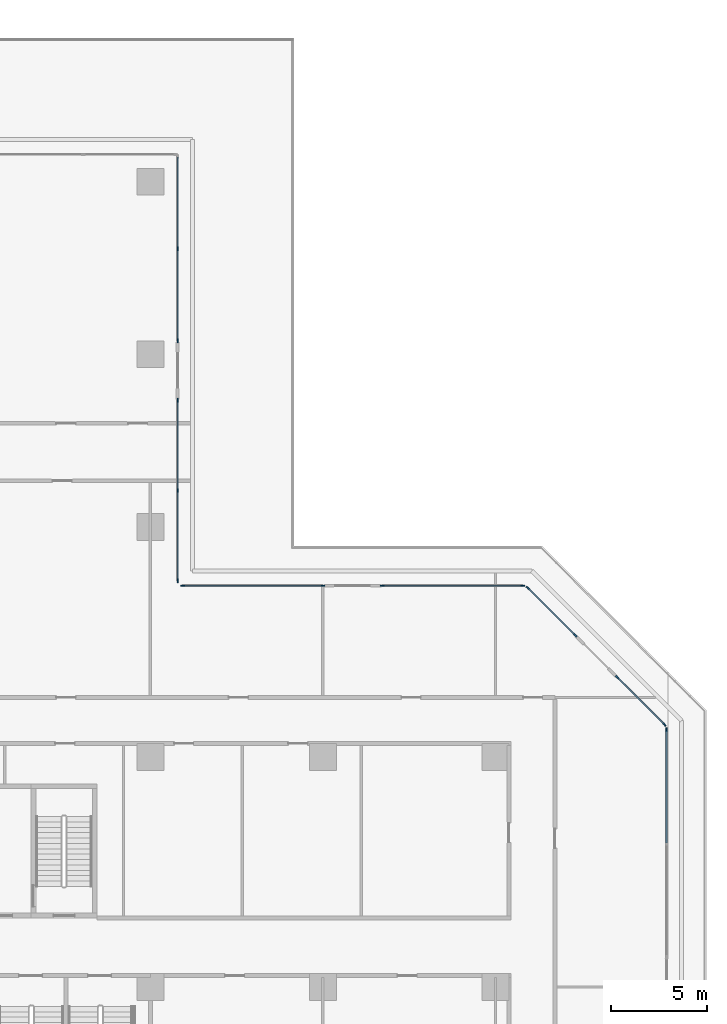
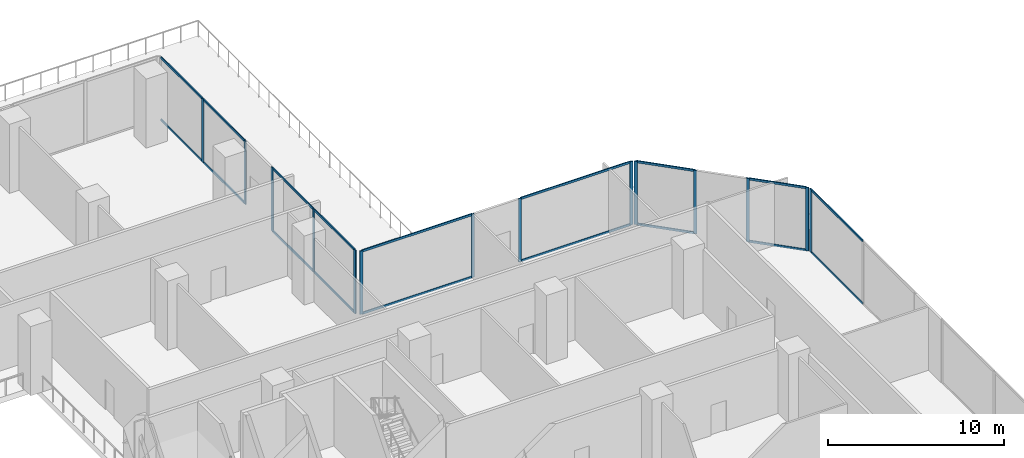
# One storey, part 7 of 26: 32 members, 7 elements without a shape of their own.
"""IFC4 building model written with IfcOpenShell, lengths in metres."""

from ifc_helpers import new_model, si_unit, direction, frame, origin, origin_2d, place, context, subcontext, project, spatial, rectangle, extrude, material, layer, layer_set, material_profile, profile_set, type_object, element, aggregate, save


model = new_model("IFC4")

# Units and contexts
model_context = context("Model", 3, precision=1e-05, world=origin(), true_north=direction((0.0, 1.0)))
body_context = subcontext(model_context, "Body", "Model", "MODEL_VIEW")
ifc_project = project(units=[si_unit("LENGTHUNIT", "METRE"), si_unit("AREAUNIT", "SQUARE_METRE"), si_unit("VOLUMEUNIT", "CUBIC_METRE"), si_unit("PLANEANGLEUNIT", "RADIAN"), si_unit("MASSUNIT", "GRAM", prefix="KILO")], contexts=[model_context])

# Site, building, storey
site_placement = place(None, origin())
site = spatial("IfcSite", under=ifc_project, at=site_placement, CompositionType="ELEMENT")
building_placement = place(site_placement, origin())
building = spatial("IfcBuilding", under=site, at=building_placement, Name="Chenar Terraces", CompositionType="ELEMENT")
storey_placement = place(building_placement, frame((0.0, 0.0, 16.800048828125)))
storey = spatial("IfcBuildingStorey", under=building, at=storey_placement, Name="L03", CompositionType="ELEMENT", Elevation=16.800048828125)

# Curtain wall, member
ifc_material_1 = material(Name="Aluminium framed glazing", Category="aluminium")
ifc_layer = layer(ifc_material_1, 0.14990234375)
ifc_layer_set = layer_set([ifc_layer], Name="Aluminium framed glazing")
curtain_wall_type = type_object("IfcCurtainWallType", Name="School curtain wall", PredefinedType="NOTDEFINED", material=ifc_layer_set)
placement = place(storey_placement, origin())
curtain_wall_1 = element("IfcCurtainWall", 1, at=placement, inside=storey, type_object=curtain_wall_type, Name="School curtain wall", PredefinedType="NOTDEFINED")
ifc_material_2 = material(Name="Aluminium", Category="aluminium")
ifc_material_profile_1 = material_profile(ifc_material_2, rectangle(XDim=0.070068359375, YDim=0.199951171875, at=origin_2d()), Name="School glazing mullion 70 x 200")
ifc_profile_set_1 = profile_set([ifc_material_profile_1], Name="Aluminium")
member_type_1 = type_object("IfcMemberType", Name="School glazing mullion 70 x 200", PredefinedType="MULLION", material=ifc_profile_set_1)
member_1_placement = place(storey_placement, frame((80.925048828125, 25.421630859375, 0.0), z_axis=(0.0, 0.0, 1.0), x_axis=(-1.0, 0.0, 0.0)))
member_1 = element("IfcMember", 2, at=member_1_placement, type_object=member_type_1, Name="CW2-09c1 mullion 3", PredefinedType="MULLION", context=body_context, shape_type="SweptSolid", body=[
    extrude(rectangle(XDim=0.070068359375, YDim=0.199951171875, at=origin_2d()), origin(), (0.0, 0.0, 1.0), 4.39990234375),
])

# Curtain wall, members
curtain_wall_2 = element("IfcCurtainWall", 3, at=placement, inside=storey, type_object=curtain_wall_type, Name="School curtain wall", PredefinedType="NOTDEFINED")
member_2_placement = place(storey_placement, frame((80.816162109375, 25.684326171875, 0.0), z_axis=(0.0, 0.0, 1.0), x_axis=(-0.707106781187, -0.707106781187, 0.0)))
member_2 = element("IfcMember", 4, at=member_2_placement, type_object=member_type_1, Name="CW2-10c0 mullion 1", PredefinedType="MULLION", context=body_context, shape_type="SweptSolid", body=[
    extrude(rectangle(XDim=0.070068359375, YDim=0.199951171875, at=origin_2d()), origin(), (0.0, 0.0, 1.0), 4.39990234375),
])
member_3_placement = place(storey_placement, frame((78.344482421875, 28.156005859375, 0.0), z_axis=(0.0, 0.0, 1.0), x_axis=(-0.707106781187, -0.707106781187, 0.0)))
member_3 = element("IfcMember", 5, at=member_3_placement, type_object=member_type_1, Name="CW2-10c0 mullion 2", PredefinedType="MULLION", context=body_context, shape_type="SweptSolid", body=[
    extrude(rectangle(XDim=0.070068359375, YDim=0.199951171875, at=origin_2d()), origin(), (0.0, 0.0, 1.0), 4.39990234375),
])

curtain_wall_3 = element("IfcCurtainWall", 6, at=placement, inside=storey, type_object=curtain_wall_type, Name="School curtain wall", PredefinedType="NOTDEFINED")
member_4_placement = place(storey_placement, frame((76.156005859375, 30.344482421875, 0.0), z_axis=(0.0, 0.0, 1.0), x_axis=(-0.707106781187, -0.707106781187, 0.0)))
member_4 = element("IfcMember", 7, at=member_4_placement, type_object=member_type_1, Name="CW2-10c1 mullion 1", PredefinedType="MULLION", context=body_context, shape_type="SweptSolid", body=[
    extrude(rectangle(XDim=0.070068359375, YDim=0.199951171875, at=origin_2d()), origin(), (0.0, 0.0, 1.0), 4.39990234375),
])
member_5_placement = place(storey_placement, frame((73.684326171875, 32.816162109375, 0.0), z_axis=(0.0, 0.0, 1.0), x_axis=(-0.707106781187, -0.707106781187, 0.0)))
member_5 = element("IfcMember", 8, at=member_5_placement, type_object=member_type_1, Name="CW2-10c1 mullion 2", PredefinedType="MULLION", context=body_context, shape_type="SweptSolid", body=[
    extrude(rectangle(XDim=0.070068359375, YDim=0.199951171875, at=origin_2d()), origin(), (0.0, 0.0, 1.0), 4.39990234375),
])

curtain_wall_4 = element("IfcCurtainWall", 9, at=placement, inside=storey, type_object=curtain_wall_type, Name="School curtain wall", PredefinedType="NOTDEFINED")
member_6_placement = place(storey_placement, frame((73.421630859375, 32.925048828125, 0.0), z_axis=(0.0, 0.0, 1.0), x_axis=(0.0, -1.0, 0.0)))
member_6 = element("IfcMember", 10, at=member_6_placement, type_object=member_type_1, Name="CW2-11c0 mullion 1", PredefinedType="MULLION", context=body_context, shape_type="SweptSolid", body=[
    extrude(rectangle(XDim=0.070068359375, YDim=0.199951171875, at=origin_2d()), origin(), (0.0, 0.0, 1.0), 4.39990234375),
])
member_7_placement = place(storey_placement, frame((66.100830078125, 32.925048828125, 0.0), z_axis=(0.0, 0.0, 1.0), x_axis=(0.0, -1.0, 0.0)))
member_7 = element("IfcMember", 11, at=member_7_placement, type_object=member_type_1, Name="CW2-11c0 mullion 2", PredefinedType="MULLION", context=body_context, shape_type="SweptSolid", body=[
    extrude(rectangle(XDim=0.070068359375, YDim=0.199951171875, at=origin_2d()), origin(), (0.0, 0.0, 1.0), 4.39990234375),
])

curtain_wall_5 = element("IfcCurtainWall", 12, at=placement, inside=storey, type_object=curtain_wall_type, Name="School curtain wall", PredefinedType="NOTDEFINED")
member_8_placement = place(storey_placement, frame((63.005859375, 32.925048828125, 0.0), z_axis=(0.0, 0.0, 1.0), x_axis=(0.0, -1.0, 0.0)))
member_8 = element("IfcMember", 13, at=member_8_placement, type_object=member_type_1, Name="CW2-11c1 mullion 1", PredefinedType="MULLION", context=body_context, shape_type="SweptSolid", body=[
    extrude(rectangle(XDim=0.070068359375, YDim=0.199951171875, at=origin_2d()), origin(), (0.0, 0.0, 1.0), 4.39990234375),
])
member_9_placement = place(storey_placement, frame((55.68505859375, 32.925048828125, 0.0), z_axis=(0.0, 0.0, 1.0), x_axis=(0.0, -1.0, 0.0)))
member_9 = element("IfcMember", 14, at=member_9_placement, type_object=member_type_1, Name="CW2-11c1 mullion 2", PredefinedType="MULLION", context=body_context, shape_type="SweptSolid", body=[
    extrude(rectangle(XDim=0.070068359375, YDim=0.199951171875, at=origin_2d()), origin(), (0.0, 0.0, 1.0), 4.39990234375),
])

curtain_wall_6 = element("IfcCurtainWall", 15, at=placement, inside=storey, type_object=curtain_wall_type, Name="School curtain wall", PredefinedType="NOTDEFINED")
member_10_placement = place(storey_placement, frame((55.425048828125, 33.18505859375, 0.0), z_axis=(0.0, 0.0, 1.0), x_axis=(-1.0, 0.0, 0.0)))
member_10 = element("IfcMember", 16, at=member_10_placement, type_object=member_type_1, Name="CW2-12c0 mullion 1", PredefinedType="MULLION", context=body_context, shape_type="SweptSolid", body=[
    extrude(rectangle(XDim=0.070068359375, YDim=0.199951171875, at=origin_2d()), origin(), (0.0, 0.0, 1.0), 4.39990234375),
])
member_11_placement = place(storey_placement, frame((55.425048828125, 37.893798828125, 0.0), z_axis=(0.0, 0.0, 1.0), x_axis=(-1.0, 0.0, 0.0)))
member_11 = element("IfcMember", 17, at=member_11_placement, type_object=member_type_1, Name="CW2-12c0 mullion 2", PredefinedType="MULLION", context=body_context, shape_type="SweptSolid", body=[
    extrude(rectangle(XDim=0.070068359375, YDim=0.199951171875, at=origin_2d()), origin(), (0.0, 0.0, 1.0), 4.39990234375),
])
member_12_placement = place(storey_placement, frame((55.425048828125, 42.6025390625, 0.0), z_axis=(0.0, 0.0, 1.0), x_axis=(-1.0, 0.0, 0.0)))
member_12 = element("IfcMember", 18, at=member_12_placement, type_object=member_type_1, Name="CW2-12c0 mullion 3", PredefinedType="MULLION", context=body_context, shape_type="SweptSolid", body=[
    extrude(rectangle(XDim=0.070068359375, YDim=0.199951171875, at=origin_2d()), origin(), (0.0, 0.0, 1.0), 4.39990234375),
])

curtain_wall_7 = element("IfcCurtainWall", 19, at=placement, inside=storey, type_object=curtain_wall_type, Name="School curtain wall", PredefinedType="NOTDEFINED")
member_13_placement = place(storey_placement, frame((55.425048828125, 45.697509765625, 0.0), z_axis=(0.0, 0.0, 1.0), x_axis=(-1.0, 0.0, 0.0)))
member_13 = element("IfcMember", 20, at=member_13_placement, type_object=member_type_1, Name="CW2-12c1 mullion 1", PredefinedType="MULLION", context=body_context, shape_type="SweptSolid", body=[
    extrude(rectangle(XDim=0.070068359375, YDim=0.199951171875, at=origin_2d()), origin(), (0.0, 0.0, 1.0), 4.39990234375),
])
member_14_placement = place(storey_placement, frame((55.425048828125, 50.50634765625, 0.0), z_axis=(0.0, 0.0, 1.0), x_axis=(-1.0, 0.0, 0.0)))
member_14 = element("IfcMember", 21, at=member_14_placement, type_object=member_type_1, Name="CW2-12c1 mullion 2", PredefinedType="MULLION", context=body_context, shape_type="SweptSolid", body=[
    extrude(rectangle(XDim=0.070068359375, YDim=0.199951171875, at=origin_2d()), origin(), (0.0, 0.0, 1.0), 4.39990234375),
])

# Member
ifc_material_3 = material(Name="Aluminium", Category="aluminium")
ifc_material_profile_2 = material_profile(ifc_material_3, rectangle(XDim=0.070068359375, YDim=0.14990234375, at=origin_2d()), Name="School glazing transom 70 x 150")
ifc_profile_set_2 = profile_set([ifc_material_profile_2], Name="Aluminium")
member_type_2 = type_object("IfcMemberType", Name="School glazing transom 70 x 150", PredefinedType="USERDEFINED", material=ifc_profile_set_2)
member_15_placement = place(storey_placement, frame((80.925048828125, 19.51953125, 0.034912109375), z_axis=(0.0, 1.0, 0.0), x_axis=(-1.0, 0.0, 0.0)))
member_15 = element("IfcMember", 22, at=member_15_placement, type_object=member_type_2, Name="CW2-09c1 transom 2.1", ObjectType="TRANSOM", PredefinedType="USERDEFINED", context=body_context, shape_type="SweptSolid", body=[
    extrude(rectangle(XDim=0.070068359375, YDim=0.14990234375, at=origin_2d()), origin(), (0.0, 0.0, 1.0), 5.8671875),
])

member_16_placement = place(storey_placement, frame((80.925048828125, 19.51953125, 4.364990234375), z_axis=(0.0, 1.0, 0.0), x_axis=(-1.0, 0.0, 0.0)))
member_16 = element("IfcMember", 23, at=member_16_placement, type_object=member_type_2, Name="CW2-09c1 transom 2.2", ObjectType="TRANSOM", PredefinedType="USERDEFINED", context=body_context, shape_type="SweptSolid", body=[
    extrude(rectangle(XDim=0.070068359375, YDim=0.14990234375, at=origin_2d()), origin(), (0.0, 0.0, 1.0), 5.8671875),
])

aggregate(curtain_wall_1, [member_1, member_15, member_16])

member_17_placement = place(storey_placement, frame((80.79150390625, 25.709228515625, 0.034912109375), z_axis=(-0.707106781187, 0.707106781187, 0.0), x_axis=(-0.707106781187, -0.707106781187, 0.0)))
member_17 = element("IfcMember", 24, at=member_17_placement, type_object=member_type_2, Name="CW2-10c0 transom 1.1", ObjectType="TRANSOM", PredefinedType="USERDEFINED", context=body_context, shape_type="SweptSolid", body=[
    extrude(rectangle(XDim=0.070068359375, YDim=0.14990234375, at=origin_2d()), origin(), (0.0, 0.0, 1.0), 3.42529296875),
])

member_18_placement = place(storey_placement, frame((80.79150390625, 25.709228515625, 4.364990234375), z_axis=(-0.707106781187, 0.707106781187, 0.0), x_axis=(-0.707106781187, -0.707106781187, 0.0)))
member_18 = element("IfcMember", 25, at=member_18_placement, type_object=member_type_2, Name="CW2-10c0 transom 1.2", ObjectType="TRANSOM", PredefinedType="USERDEFINED", context=body_context, shape_type="SweptSolid", body=[
    extrude(rectangle(XDim=0.070068359375, YDim=0.14990234375, at=origin_2d()), origin(), (0.0, 0.0, 1.0), 3.42529296875),
])

aggregate(curtain_wall_2, [member_2, member_3, member_17, member_18])

member_19_placement = place(storey_placement, frame((76.13134765625, 30.369384765625, 0.034912109375), z_axis=(-0.707106781187, 0.707106781187, 0.0), x_axis=(-0.707106781187, -0.707106781187, 0.0)))
member_19 = element("IfcMember", 26, at=member_19_placement, type_object=member_type_2, Name="CW2-10c1 transom 1.1", ObjectType="TRANSOM", PredefinedType="USERDEFINED", context=body_context, shape_type="SweptSolid", body=[
    extrude(rectangle(XDim=0.070068359375, YDim=0.14990234375, at=origin_2d()), origin(), (0.0, 0.0, 1.0), 3.42529296875),
])

member_20_placement = place(storey_placement, frame((76.13134765625, 30.369384765625, 4.364990234375), z_axis=(-0.707106781187, 0.707106781187, 0.0), x_axis=(-0.707106781187, -0.707106781187, 0.0)))
member_20 = element("IfcMember", 27, at=member_20_placement, type_object=member_type_2, Name="CW2-10c1 transom 1.2", ObjectType="TRANSOM", PredefinedType="USERDEFINED", context=body_context, shape_type="SweptSolid", body=[
    extrude(rectangle(XDim=0.070068359375, YDim=0.14990234375, at=origin_2d()), origin(), (0.0, 0.0, 1.0), 3.42529296875),
])

aggregate(curtain_wall_3, [member_4, member_5, member_19, member_20])

member_21_placement = place(storey_placement, frame((73.38671875, 32.925048828125, 0.034912109375), z_axis=(-1.0, 0.0, 0.0), x_axis=(0.0, -1.0, 0.0)))
member_21 = element("IfcMember", 28, at=member_21_placement, type_object=member_type_2, Name="CW2-11c0 transom 1.1", ObjectType="TRANSOM", PredefinedType="USERDEFINED", context=body_context, shape_type="SweptSolid", body=[
    extrude(rectangle(XDim=0.070068359375, YDim=0.14990234375, at=origin_2d()), origin(), (0.0, 0.0, 1.0), 7.2509765625),
])

member_22_placement = place(storey_placement, frame((73.38671875, 32.925048828125, 4.364990234375), z_axis=(-1.0, 0.0, 0.0), x_axis=(0.0, -1.0, 0.0)))
member_22 = element("IfcMember", 29, at=member_22_placement, type_object=member_type_2, Name="CW2-11c0 transom 1.2", ObjectType="TRANSOM", PredefinedType="USERDEFINED", context=body_context, shape_type="SweptSolid", body=[
    extrude(rectangle(XDim=0.070068359375, YDim=0.14990234375, at=origin_2d()), origin(), (0.0, 0.0, 1.0), 7.2509765625),
])

aggregate(curtain_wall_4, [member_6, member_7, member_21, member_22])

member_23_placement = place(storey_placement, frame((62.970703125, 32.925048828125, 0.034912109375), z_axis=(-1.0, 0.0, 0.0), x_axis=(0.0, -1.0, 0.0)))
member_23 = element("IfcMember", 30, at=member_23_placement, type_object=member_type_2, Name="CW2-11c1 transom 1.1", ObjectType="TRANSOM", PredefinedType="USERDEFINED", context=body_context, shape_type="SweptSolid", body=[
    extrude(rectangle(XDim=0.070068359375, YDim=0.14990234375, at=origin_2d()), origin(), (0.0, 0.0, 1.0), 7.250732421875),
])

member_24_placement = place(storey_placement, frame((62.970703125, 32.925048828125, 4.364990234375), z_axis=(-1.0, 0.0, 0.0), x_axis=(0.0, -1.0, 0.0)))
member_24 = element("IfcMember", 31, at=member_24_placement, type_object=member_type_2, Name="CW2-11c1 transom 1.2", ObjectType="TRANSOM", PredefinedType="USERDEFINED", context=body_context, shape_type="SweptSolid", body=[
    extrude(rectangle(XDim=0.070068359375, YDim=0.14990234375, at=origin_2d()), origin(), (0.0, 0.0, 1.0), 7.250732421875),
])

aggregate(curtain_wall_5, [member_8, member_9, member_23, member_24])

member_25_placement = place(storey_placement, frame((55.425048828125, 33.219970703125, 0.034912109375), z_axis=(0.0, 1.0, 0.0), x_axis=(-1.0, 0.0, 0.0)))
member_25 = element("IfcMember", 32, at=member_25_placement, type_object=member_type_2, Name="CW2-12c0 transom 1.1", ObjectType="TRANSOM", PredefinedType="USERDEFINED", context=body_context, shape_type="SweptSolid", body=[
    extrude(rectangle(XDim=0.070068359375, YDim=0.14990234375, at=origin_2d()), origin(), (0.0, 0.0, 1.0), 4.638671875),
])

member_26_placement = place(storey_placement, frame((55.425048828125, 33.219970703125, 4.364990234375), z_axis=(0.0, 1.0, 0.0), x_axis=(-1.0, 0.0, 0.0)))
member_26 = element("IfcMember", 33, at=member_26_placement, type_object=member_type_2, Name="CW2-12c0 transom 1.2", ObjectType="TRANSOM", PredefinedType="USERDEFINED", context=body_context, shape_type="SweptSolid", body=[
    extrude(rectangle(XDim=0.070068359375, YDim=0.14990234375, at=origin_2d()), origin(), (0.0, 0.0, 1.0), 4.638671875),
])

member_27_placement = place(storey_placement, frame((55.425048828125, 37.9287109375, 0.034912109375), z_axis=(0.0, 1.0, 0.0), x_axis=(-1.0, 0.0, 0.0)))
member_27 = element("IfcMember", 34, at=member_27_placement, type_object=member_type_2, Name="CW2-12c0 transom 2.1", ObjectType="TRANSOM", PredefinedType="USERDEFINED", context=body_context, shape_type="SweptSolid", body=[
    extrude(rectangle(XDim=0.070068359375, YDim=0.14990234375, at=origin_2d()), origin(), (0.0, 0.0, 1.0), 4.638671875),
])

member_28_placement = place(storey_placement, frame((55.425048828125, 37.9287109375, 4.364990234375), z_axis=(0.0, 1.0, 0.0), x_axis=(-1.0, 0.0, 0.0)))
member_28 = element("IfcMember", 35, at=member_28_placement, type_object=member_type_2, Name="CW2-12c0 transom 2.2", ObjectType="TRANSOM", PredefinedType="USERDEFINED", context=body_context, shape_type="SweptSolid", body=[
    extrude(rectangle(XDim=0.070068359375, YDim=0.14990234375, at=origin_2d()), origin(), (0.0, 0.0, 1.0), 4.638671875),
])

aggregate(curtain_wall_6, [member_10, member_11, member_12, member_25, member_26, member_27, member_28])

member_29_placement = place(storey_placement, frame((55.425048828125, 45.732421875, 0.034912109375), z_axis=(0.0, 1.0, 0.0), x_axis=(-1.0, 0.0, 0.0)))
member_29 = element("IfcMember", 36, at=member_29_placement, type_object=member_type_2, Name="CW2-12c1 transom 1.1", ObjectType="TRANSOM", PredefinedType="USERDEFINED", context=body_context, shape_type="SweptSolid", body=[
    extrude(rectangle(XDim=0.070068359375, YDim=0.14990234375, at=origin_2d()), origin(), (0.0, 0.0, 1.0), 4.73876953125),
])

member_30_placement = place(storey_placement, frame((55.425048828125, 45.732421875, 4.364990234375), z_axis=(0.0, 1.0, 0.0), x_axis=(-1.0, 0.0, 0.0)))
member_30 = element("IfcMember", 37, at=member_30_placement, type_object=member_type_2, Name="CW2-12c1 transom 1.2", ObjectType="TRANSOM", PredefinedType="USERDEFINED", context=body_context, shape_type="SweptSolid", body=[
    extrude(rectangle(XDim=0.070068359375, YDim=0.14990234375, at=origin_2d()), origin(), (0.0, 0.0, 1.0), 4.73876953125),
])

member_31_placement = place(storey_placement, frame((55.425048828125, 50.541259765625, 0.034912109375), z_axis=(0.0, 1.0, 0.0), x_axis=(-1.0, 0.0, 0.0)))
member_31 = element("IfcMember", 38, at=member_31_placement, type_object=member_type_2, Name="CW2-12c1 transom 2.1", ObjectType="TRANSOM", PredefinedType="USERDEFINED", context=body_context, shape_type="SweptSolid", body=[
    extrude(rectangle(XDim=0.070068359375, YDim=0.14990234375, at=origin_2d()), origin(), (0.0, 0.0, 1.0), 4.73876953125),
])

member_32_placement = place(storey_placement, frame((55.425048828125, 50.541259765625, 4.364990234375), z_axis=(0.0, 1.0, 0.0), x_axis=(-1.0, 0.0, 0.0)))
member_32 = element("IfcMember", 39, at=member_32_placement, type_object=member_type_2, Name="CW2-12c1 transom 2.2", ObjectType="TRANSOM", PredefinedType="USERDEFINED", context=body_context, shape_type="SweptSolid", body=[
    extrude(rectangle(XDim=0.070068359375, YDim=0.14990234375, at=origin_2d()), origin(), (0.0, 0.0, 1.0), 4.73876953125),
])

aggregate(curtain_wall_7, [member_13, member_14, member_29, member_30, member_31, member_32])

save(model, "model.ifc")
